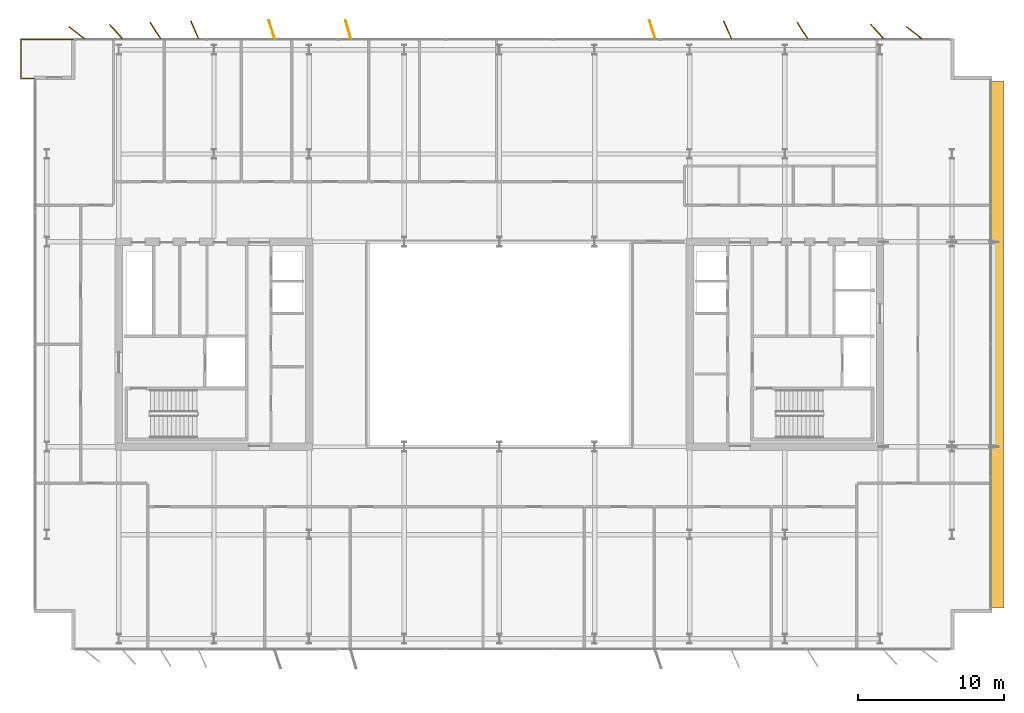
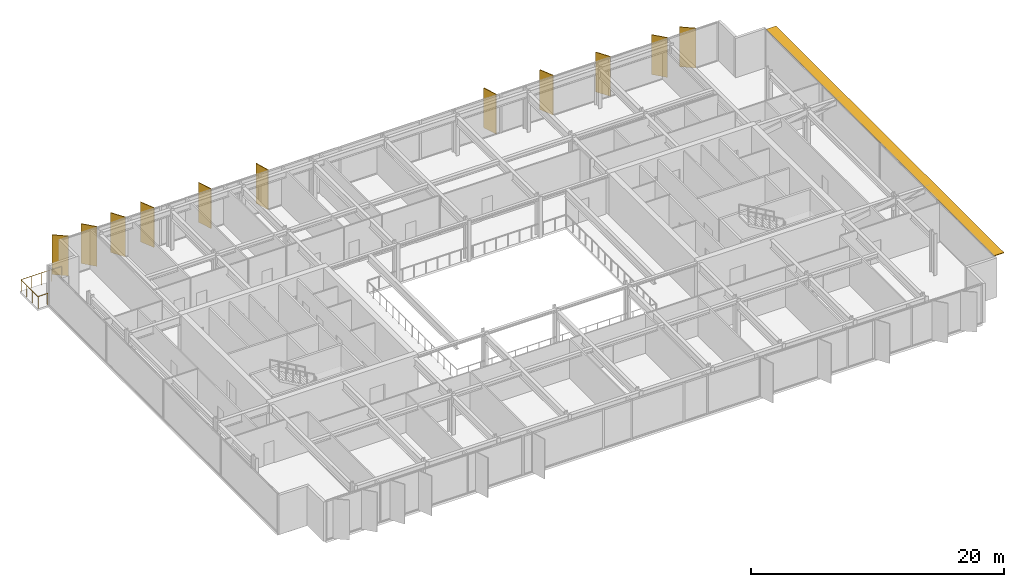
# One storey, part 20 of 20: 12 shading devices, 1 railing.
"""IFC4 building model written with IfcOpenShell, lengths in metres."""

from ifc_helpers import new_model, si_unit, direction, frame, origin, origin_2d, place, context, subcontext, project, spatial, polyline, rectangle, circle, outline, extrude, material, layer, layer_set, type_object, element, save


model = new_model("IFC4")

# Units and contexts
model_context = context("Model", 3, precision=1e-05, world=origin(), true_north=direction((0.0, 1.0)))
body_context = subcontext(model_context, "Body", "Model", "MODEL_VIEW")
ifc_project = project(units=[si_unit("LENGTHUNIT", "METRE"), si_unit("AREAUNIT", "SQUARE_METRE"), si_unit("VOLUMEUNIT", "CUBIC_METRE"), si_unit("PLANEANGLEUNIT", "RADIAN"), si_unit("MASSUNIT", "GRAM", prefix="KILO")], contexts=[model_context])

# Site, building, storey
site_placement = place(None, origin())
site = spatial("IfcSite", under=ifc_project, at=site_placement, CompositionType="ELEMENT")
building_placement = place(site_placement, origin())
building = spatial("IfcBuilding", under=site, at=building_placement, Name="Putna Gate Headquarters", CompositionType="ELEMENT")
storey_placement = place(building_placement, frame((0.0, 0.0, 282.39990234375)))
storey = spatial("IfcBuildingStorey", under=building, at=storey_placement, Name="L71", CompositionType="ELEMENT", Elevation=282.39990234375)

# Railing
ifc_material_1 = material(Name="Anodised bronze steel and laminated glass guardrail", Category="steel")
railing_type = type_object("IfcRailingType", Name="RAIL-TERR-GUARD-1150", PredefinedType="GUARDRAIL", material=ifc_material_1)
railing_placement = place(storey_placement, frame((7.199951171875, 44.159912109375, 0.0)))
element("IfcRailing", 1, at=railing_placement, inside=storey, type_object=railing_type, Name="L71 Spiral Sky Terrace Guardrail NW", PredefinedType="GUARDRAIL", context=body_context, shape_type="SweptSolid", body=[
    extrude(circle(Radius=0.02392578125, at=origin_2d()), frame((0.0, 0.0, 1.1259765625), z_axis=(-1.0, 0.0, 0.0), x_axis=(0.0, -1.0, 0.0)), (0.0, 0.0, 1.0), 0.889892578125),
    extrude(circle(Radius=0.02392578125, at=origin_2d()), frame((-0.889892578125, 0.0, 1.1259765625), z_axis=(0.0, 1.0, 0.0), x_axis=(-1.0, 0.0, 0.0)), (0.0, 0.0, 1.0), 2.68017578125),
    extrude(circle(Radius=0.02392578125, at=origin_2d()), frame((-0.889892578125, 2.68017578125, 1.1259765625), z_axis=(1.0, 0.0, 0.0), x_axis=(0.0, 1.0, 0.0)), (0.0, 0.0, 1.0), 3.68994140625),
    extrude(circle(Radius=0.02099609375, at=origin_2d()), origin(), (0.0, 0.0, 1.0), 1.101806640625),
    extrude(circle(Radius=0.02099609375, at=origin_2d()), frame((-0.889892578125, 0.0, 0.0)), (0.0, 0.0, 1.0), 1.101806640625),
    extrude(circle(Radius=0.02099609375, at=origin_2d()), frame((-0.889892578125, 0.893310546875, 0.0)), (0.0, 0.0, 1.0), 1.101806640625),
    extrude(circle(Radius=0.02099609375, at=origin_2d()), frame((-0.889892578125, 1.786865234375, 0.0)), (0.0, 0.0, 1.0), 1.101806640625),
    extrude(circle(Radius=0.02099609375, at=origin_2d()), frame((-0.889892578125, 2.68017578125, 0.0)), (0.0, 0.0, 1.0), 1.101806640625),
    extrude(circle(Radius=0.02099609375, at=origin_2d()), frame((0.03271484375, 2.68017578125, 0.0)), (0.0, 0.0, 1.0), 1.101806640625),
    extrude(circle(Radius=0.02099609375, at=origin_2d()), frame((0.955078125, 2.68017578125, 0.0)), (0.0, 0.0, 1.0), 1.101806640625),
    extrude(circle(Radius=0.02099609375, at=origin_2d()), frame((1.87744140625, 2.68017578125, 0.0)), (0.0, 0.0, 1.0), 1.101806640625),
    extrude(circle(Radius=0.02099609375, at=origin_2d()), frame((2.800048828125, 2.68017578125, 0.0)), (0.0, 0.0, 1.0), 1.101806640625),
])

# Shading devices
ifc_material_2 = material(Name="Anodised architectural bronze aluminium fin", Category="aluminium")
ifc_layer_1 = layer(ifc_material_2, 0.06494140625)
ifc_layer_set_1 = layer_set([ifc_layer_1], Name="Anodised architectural bronze aluminium fin")
shading_device_type_1 = type_object("IfcShadingDeviceType", Name="SHADE-BRONZE-FIN-1320", PredefinedType="USERDEFINED", material=ifc_layer_set_1)
for number, where, z_axis, x_axis, name in (
    (2, (10.13037109375, 47.28173828125, -0.02001953125), (0.0, 0.0, 1.0), (-0.787473187632, 0.616348909921, 0.0), "L71 Bronze Vertical Shading Fin N1"),
    (3, (12.808349609375, 47.365478515625, -0.02001953125), (0.0, 0.0, 1.0), (-0.669130606359, 0.743144825477, 0.0), "L71 Bronze Vertical Shading Fin N2"),
    (4, (15.499755859375, 47.434326171875, -0.02001953125), (0.0, 0.0, 1.0), (-0.530659123936, 0.847585331506, 0.0), "L71 Bronze Vertical Shading Fin N3"),
    (5, (18.185546875, 47.479736328125, -0.02001953125), (0.0, 0.0, 1.0), (-0.400668879095, 0.916222925562, 0.0), "L71 Bronze Vertical Shading Fin N4"),
    (6, (23.4462890625, 47.502685546875, -0.02001953125), (0.0, 0.0, 1.0), (-0.308684994204, 0.951164325631, 0.0), "L71 Bronze Vertical Shading Fin N5"),
    (7, (28.668212890625, 47.509521484375, -0.02001953125), (0.0, 0.0, 1.0), (-0.275637355817, 0.961261695938, 0.0), "L71 Bronze Vertical Shading Fin N6"),
    (8, (49.4462890625, 47.502685546875, -0.02001953125), (0.0, 0.0, 1.0), (-0.308684994204, 0.951164325631, 0.0), "L71 Bronze Vertical Shading Fin N7"),
    (9, (54.585693359375, 47.479736328125, -0.02001953125), (0.0, 0.0, 1.0), (-0.400668879095, 0.916222925562, 0.0), "L71 Bronze Vertical Shading Fin N8"),
    (10, (59.69970703125, 47.434326171875, -0.02001953125), (0.0, 0.0, 1.0), (-0.530659123936, 0.847585331506, 0.0), "L71 Bronze Vertical Shading Fin N9"),
    (11, (64.808349609375, 47.365478515625, -0.02001953125), (0.0, 0.0, 1.0), (-0.669130606359, 0.743144825477, 0.0), "L71 Bronze Vertical Shading Fin N10"),
    (12, (67.330322265625, 47.28173828125, -0.02001953125), (0.0, 0.0, 1.0), (-0.787473187632, 0.616348909921, 0.0), "L71 Bronze Vertical Shading Fin N11"),
):
    element("IfcShadingDevice", number, at=place(storey_placement, frame(where, z_axis=z_axis, x_axis=x_axis)), inside=storey, type_object=shading_device_type_1, Name=name, ObjectType="FIN", PredefinedType="USERDEFINED", context=body_context, shape_type="SweptSolid", body=[
        extrude(rectangle(XDim=1.320068359375, YDim=0.06494140625, at=origin_2d()), origin(), (0.0, 0.0, 1.0), 3.827880859375),
    ])
ifc_material_3 = material(Name="Anodised architectural bronze sunshade blade", Category="aluminium")
ifc_layer_2 = layer(ifc_material_3, 0.06005859375)
ifc_layer_set_2 = layer_set([ifc_layer_2], Name="Anodised architectural bronze sunshade blade")
shading_device_type_2 = type_object("IfcShadingDeviceType", Name="SHADE-SAIL-BLADE-900", PredefinedType="USERDEFINED", material=ifc_layer_set_2)
shading_device_placement = place(storey_placement, frame((0.0, 0.0, 3.733154296875)))
element("IfcShadingDevice", 13, at=shading_device_placement, inside=storey, type_object=shading_device_type_2, Name="L71 East Sail Horizontal Bronze Sunshade Blade", ObjectType="SUNSHADE", PredefinedType="USERDEFINED", context=body_context, shape_type="SweptSolid", body=[
    extrude(outline(polyline([(72.56884765625, 8.0), (73.468994140625, 8.0), (73.468994140625, 44.0), (72.56884765625, 44.0), (72.56884765625, 8.0)])), origin(), (0.0, 0.0, 1.0), 0.06005859375),
])

save(model, "model.ifc")
